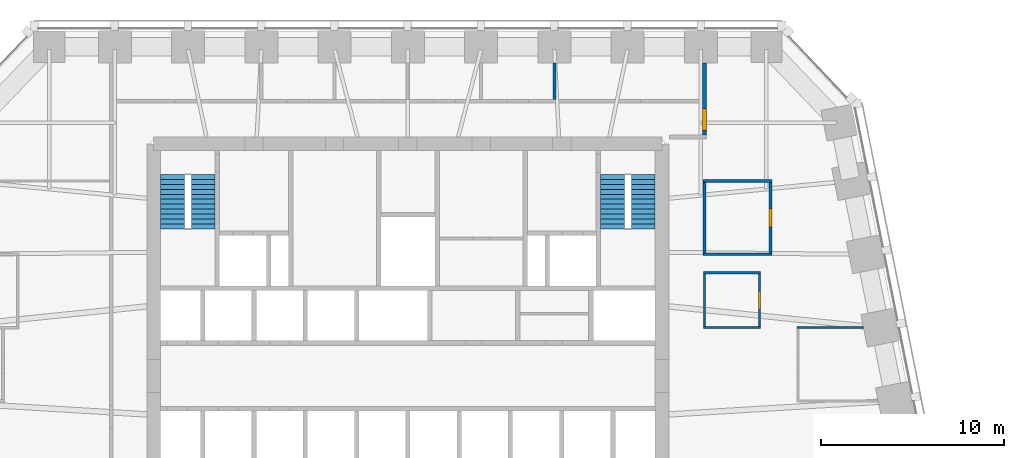
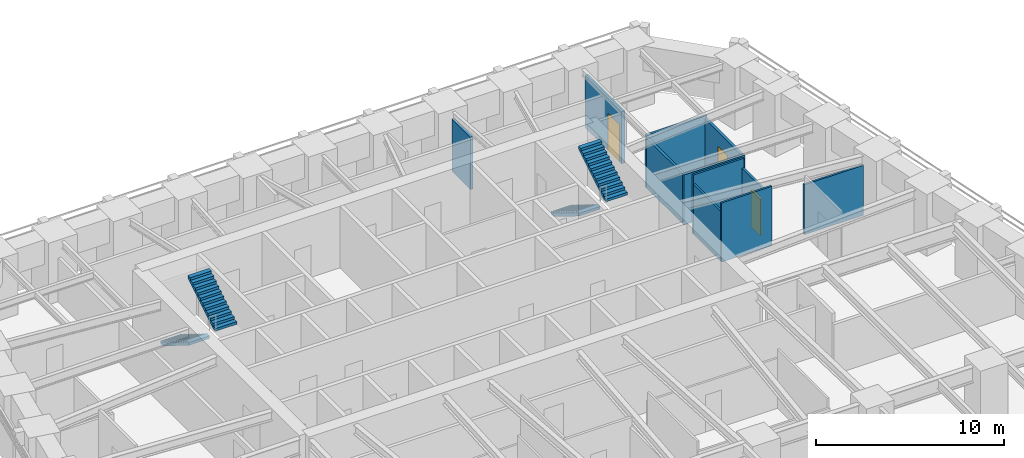
# One storey, part 8 of 10: 11 walls, 4 stair flights, 3 doors, 3 openings, 2 elements without a shape of their own.
"""IFC4 building model written with IfcOpenShell, lengths in metres."""

import ifcopenshell
import ifcopenshell.guid

model = None  # the IFC model being written
_history = None  # IfcOwnerHistory: only IFC2X3 demands one
_inside = {}  # id of a spatial element -> (the spatial element, [elements in it])
_under = {}  # id of a project, library or spatial element -> (it, [spatial elements below it])
_declared = {}  # id of a project -> (the project, [libraries it declares])
_typed = {}  # id of a type object -> (the type object, [elements of that type])
_made_of = {}  # id of a material, layer set ... -> (it, [elements and type objects made of it])


def new_model(schema):
    """Start an empty IFC model of exactly this schema.

    Asked for "IFC4X3", IfcOpenShell would pick the latest addendum, in which some entities
    have other attributes; the version numbers below select the first issue.
    IFC2X3 requires an IfcOwnerHistory on every rooted entity: one is made here for all.
    """
    global model, _history
    if schema == "IFC4X3":
        model = ifcopenshell.file(schema_version=(4, 3, 0, 0))
    else:
        model = ifcopenshell.file(schema=schema)
    _inside.clear()
    _under.clear()
    _declared.clear()
    _typed.clear()
    _made_of.clear()
    _history = None
    if model.schema == "IFC2X3":
        org = make("IfcOrganization", Name="unknown")
        user = make(
            "IfcPersonAndOrganization",
            ThePerson=make("IfcPerson", FamilyName="unknown"),
            TheOrganization=org,
        )
        app = make(
            "IfcApplication",
            ApplicationDeveloper=org,
            Version="unknown",
            ApplicationFullName="unknown",
            ApplicationIdentifier="unknown",
        )
        _history = make(
            "IfcOwnerHistory",
            OwningUser=user,
            OwningApplication=app,
            ChangeAction="ADDED",
            CreationDate=0,
        )
    return model


def make(cls, **values):
    """One entity of the class cls with the attributes given. An attribute that is None is left unset."""
    return model.create_entity(
        cls, **{name: value for name, value in values.items() if value is not None}
    )


def rooted(cls, **values):
    """An entity with a GlobalId (a new one), such as an element, a storey or a relation."""
    return make(cls, GlobalId=ifcopenshell.guid.new(), OwnerHistory=_history, **values)


def si_unit(unit_type, name, prefix=None):
    """IfcSIUnit, for example si_unit("LENGTHUNIT", "METRE", prefix="MILLI")."""
    return make("IfcSIUnit", UnitType=unit_type, Prefix=prefix, Name=name)


def assignment(units):
    """IfcUnitAssignment: the units of a project."""
    return None if units is None else make("IfcUnitAssignment", Units=units)


def point(xyz):
    """IfcCartesianPoint."""
    return None if xyz is None else make("IfcCartesianPoint", Coordinates=xyz)


def direction(xyz):
    """IfcDirection."""
    return None if xyz is None else make("IfcDirection", DirectionRatios=xyz)


def frame(location, z_axis=None, x_axis=None):
    """IfcAxis2Placement3D, a coordinate frame: its origin and axes. An axis left out is left unset."""
    return make(
        "IfcAxis2Placement3D",
        Location=point(location),
        Axis=direction(z_axis),
        RefDirection=direction(x_axis),
    )


def frame_2d(location, x_axis=None):
    """IfcAxis2Placement2D, a coordinate frame in the plane: its origin and x axis."""
    return make(
        "IfcAxis2Placement2D", Location=point(location), RefDirection=direction(x_axis)
    )


def origin():
    """The frame at (0, 0, 0) with its axes left unset."""
    return frame((0.0, 0.0, 0.0))


def place(relative_to, where):
    """IfcLocalPlacement: puts the frame where relative to a parent placement (None: the world)."""
    return make(
        "IfcLocalPlacement", PlacementRelTo=relative_to, RelativePlacement=where
    )


def context(
    kind, dimensions, precision=None, world=None, true_north=None, identifier=None
):
    """IfcGeometricRepresentationContext, for example the 3D "Model" context."""
    return make(
        "IfcGeometricRepresentationContext",
        ContextIdentifier=identifier,
        ContextType=kind,
        CoordinateSpaceDimension=dimensions,
        Precision=precision,
        WorldCoordinateSystem=world,
        TrueNorth=true_north,
    )


def subcontext(parent, identifier, kind, view, scale=None):
    """IfcGeometricRepresentationSubContext, for example "Body" below "Model"."""
    return make(
        "IfcGeometricRepresentationSubContext",
        ContextIdentifier=identifier,
        ContextType=kind,
        ParentContext=parent,
        TargetScale=scale,
        TargetView=view,
    )


def project(units=None, contexts=None):
    """IfcProject with its units and contexts."""
    return rooted(
        "IfcProject",
        Name="project",
        RepresentationContexts=contexts,
        UnitsInContext=assignment(units),
    )


def spatial(cls, under=None, at=None, **own):
    """A site, building, storey or space (cls), placed at a placement, below another one or the project."""
    s = rooted(cls, ObjectPlacement=at, **own)
    if under is not None:
        _under.setdefault(under.id(), (under, []))[1].append(s)
    return s


def polyline(points):
    """IfcPolyline through the points."""
    return make("IfcPolyline", Points=[point(p) for p in points])


def profile(cls, at=None, kind="AREA", **sizes):
    """A parametric profile (cls). Its sizes go by their IFC names, for example OverallWidth=200.0."""
    return make(cls, ProfileType=kind, Position=at, **sizes)


def rectangle(**sizes):
    """IfcRectangleProfileDef."""
    return profile("IfcRectangleProfileDef", **sizes)


def outline(outer, holes=None, kind="AREA"):
    """IfcArbitraryClosedProfileDef: a profile drawn as a closed curve; with holes, ...WithVoids."""
    if holes is None:
        return make("IfcArbitraryClosedProfileDef", ProfileType=kind, OuterCurve=outer)
    return make(
        "IfcArbitraryProfileDefWithVoids",
        ProfileType=kind,
        OuterCurve=outer,
        InnerCurves=holes,
    )


def extrude(swept, where, along, depth):
    """IfcExtrudedAreaSolid: the profile swept, set in the frame where, extruded along a direction by depth."""
    return make(
        "IfcExtrudedAreaSolid",
        SweptArea=swept,
        Position=where,
        ExtrudedDirection=direction(along),
        Depth=depth,
    )


def shape(context_of_items, identifier, shape_type, items):
    """IfcShapeRepresentation: the items that make up one representation, for example the "Body"."""
    return make(
        "IfcShapeRepresentation",
        ContextOfItems=context_of_items,
        RepresentationIdentifier=identifier,
        RepresentationType=shape_type,
        Items=items,
    )


def material(Name=None, Category=None):
    """IfcMaterial."""
    return make("IfcMaterial", Name=Name, Category=Category)


def layer(
    of_material, thickness, ventilated=None, Name=None, Category=None, Priority=None
):
    """IfcMaterialLayer: one layer of a wall or slab, of a material (None: an air gap)."""
    return make(
        "IfcMaterialLayer",
        Material=of_material,
        LayerThickness=thickness,
        IsVentilated=ventilated,
        Name=Name,
        Category=Category,
        Priority=Priority,
    )


def layer_set(layers, Name=None):
    """IfcMaterialLayerSet."""
    return make("IfcMaterialLayerSet", MaterialLayers=layers, LayerSetName=Name)


def made_of(thing, what):
    """Note that an element or type object is made of a material, layer set ...; save() writes the relation."""
    if what is not None:
        _made_of.setdefault(what.id(), (what, []))[1].append(thing)
    return thing


def type_object(cls, material=None, **own):
    """A type object (cls), such as IfcWallType, which elements share."""
    return made_of(rooted(cls, **own), material)


def element(
    cls,
    number,
    at=None,
    inside=None,
    cuts=None,
    type_object=None,
    material=None,
    context=None,
    identifier="Body",
    shape_type=None,
    held_by="IfcProductDefinitionShape",
    body=None,
    shapes=None,
    **own,
):
    """One element of the class cls, such as IfcWall. Its Tag is "e" and its number.

    at: its placement. inside: the storey or other place that contains it. cuts: it is an
    opening in that element (IfcRelVoidsElement). A single representation is given by context,
    identifier, shape_type and body (its items); several are given by shapes. held_by: the class
    of the entity that holds the representations. save() writes the other relations.
    """
    e = rooted(cls, Tag="e%d" % number, ObjectPlacement=at, **own)
    if body is not None:
        shapes = [shape(context, identifier, shape_type, body)]
    if shapes is not None:
        e.Representation = make(held_by, Representations=shapes)
    if inside is not None:
        _inside.setdefault(inside.id(), (inside, []))[1].append(e)
    if cuts is not None:
        rooted(
            "IfcRelVoidsElement", RelatingBuildingElement=cuts, RelatedOpeningElement=e
        )
    if type_object is not None:
        _typed.setdefault(type_object.id(), (type_object, []))[1].append(e)
    return made_of(e, material)


def fill(opening, filler):
    """IfcRelFillsElement: the door or window that sits in an opening."""
    return rooted(
        "IfcRelFillsElement",
        RelatingOpeningElement=opening,
        RelatedBuildingElement=filler,
    )


def aggregate(whole, parts):
    """IfcRelAggregates: a whole, such as a stair, and the parts it consists of."""
    return rooted("IfcRelAggregates", RelatingObject=whole, RelatedObjects=parts)


def save(model, path):
    """Write the relations noted so far, then the file.

    IfcRelAggregates (storeys below a building ...), IfcRelContainedInSpatialStructure (elements
    in a storey), IfcRelDefinesByType, IfcRelAssociatesMaterial and IfcRelDeclares: one each for
    every whole, place, type object, material and project.
    """
    for whole, parts in _under.values():
        aggregate(whole, parts)
    for where, things in _inside.values():
        rooted(
            "IfcRelContainedInSpatialStructure",
            RelatedElements=things,
            RelatingStructure=where,
        )
    for kind, things in _typed.values():
        rooted("IfcRelDefinesByType", RelatedObjects=things, RelatingType=kind)
    for what, things in _made_of.values():
        rooted("IfcRelAssociatesMaterial", RelatedObjects=things, RelatingMaterial=what)
    for by, libraries in _declared.values():
        rooted("IfcRelDeclares", RelatingContext=by, RelatedDefinitions=libraries)
    model.write(path)


model = new_model("IFC4")

# Units and contexts
model_context = context("Model", 3, precision=1e-05, world=origin(), true_north=direction((0.0, 1.0)))
body_context = subcontext(model_context, "Body", "Model", "MODEL_VIEW")
ifc_project = project(units=[si_unit("LENGTHUNIT", "METRE"), si_unit("AREAUNIT", "SQUARE_METRE"), si_unit("VOLUMEUNIT", "CUBIC_METRE"), si_unit("PLANEANGLEUNIT", "RADIAN"), si_unit("MASSUNIT", "GRAM", prefix="KILO")], contexts=[model_context])

# Site, building, storey
site_placement = place(None, origin())
site = spatial("IfcSite", under=ifc_project, at=site_placement, CompositionType="ELEMENT")
building_placement = place(site_placement, origin())
building = spatial("IfcBuilding", under=site, at=building_placement, Name="Isbrekke Arena Tower", CompositionType="ELEMENT")
storey_placement = place(building_placement, frame((0.0, 0.0, 123.0)))
storey = spatial("IfcBuildingStorey", under=building, at=storey_placement, Name="L27", CompositionType="ELEMENT", Elevation=123.0)

# Walls
ifc_material_1 = material(Name="Gypsum board partition on steel studs", Category="steel")
ifc_layer_1 = layer(ifc_material_1, 0.14990234375)
ifc_layer_set_1 = layer_set([ifc_layer_1], Name="IW1 PARTITION 150")
wall_type_1 = type_object("IfcWallType", Name="IW1 PARTITION 150", PredefinedType="PARTITIONING", material=ifc_layer_set_1)
wall_1_placement = place(storey_placement, frame((16.125, 17.840087890625, 0.0), z_axis=(0.0, 0.0, 1.0), x_axis=(1.0, 0.0, 0.0)))
element("IfcWall", 1, at=wall_1_placement, inside=storey, type_object=wall_type_1, Name="IW1 partition 150 L27", PredefinedType="PARTITIONING", context=body_context, shape_type="SweptSolid", body=[
    extrude(rectangle(XDim=3.75, YDim=0.14990234375, at=frame_2d((1.875, 0.0))), origin(), (0.0, 0.0, 1.0), 3.25),
])
wall_2_placement = place(storey_placement, frame((16.125, 21.840087890625, 0.0), z_axis=(0.0, 0.0, 1.0), x_axis=(1.0, 0.0, 0.0)))
element("IfcWall", 2, at=wall_2_placement, inside=storey, type_object=wall_type_1, Name="IW1 partition 150 L27", PredefinedType="PARTITIONING", context=body_context, shape_type="SweptSolid", body=[
    extrude(rectangle(XDim=3.75, YDim=0.14990234375, at=frame_2d((1.875, 0.0))), origin(), (0.0, 0.0, 1.0), 3.39990234375),
])
wall_3_placement = place(storey_placement, frame((8.0, 26.300048828125, 0.0), z_axis=(0.0, 0.0, 1.0), x_axis=(0.0, 1.0, 0.0)))
element("IfcWall", 3, at=wall_3_placement, inside=storey, type_object=wall_type_1, Name="IW1 partition 150 L27", PredefinedType="PARTITIONING", context=body_context, shape_type="SweptSolid", body=[
    extrude(rectangle(XDim=1.974853515625, YDim=0.14990234375, at=frame_2d((0.9873046875, 0.0))), origin(), (0.0, 0.0, 1.0), 3.39990234375),
])
wall_4_placement = place(storey_placement, frame((16.199951171875, 17.9150390625, 0.0), z_axis=(0.0, 0.0, 1.0), x_axis=(0.0, 1.0, 0.0)))
element("IfcWall", 4, at=wall_4_placement, inside=storey, type_object=wall_type_1, Name="IW1 partition 150 L27", PredefinedType="PARTITIONING", context=body_context, shape_type="SweptSolid", body=[
    extrude(rectangle(XDim=3.849853515625, YDim=0.14990234375, at=frame_2d((1.9248046875, 0.0))), origin(), (0.0, 0.0, 1.0), 3.25),
])

# Wall, opening, door
wall_5_placement = place(storey_placement, frame((19.800048828125, 17.9150390625, 0.0), z_axis=(0.0, 0.0, 1.0), x_axis=(0.0, 1.0, 0.0)))
wall_5 = element("IfcWall", 5, at=wall_5_placement, inside=storey, type_object=wall_type_1, Name="IW1 partition 150 L27", PredefinedType="PARTITIONING", context=body_context, shape_type="SweptSolid", body=[
    extrude(rectangle(XDim=3.849853515625, YDim=0.14990234375, at=frame_2d((1.9248046875, 0.0))), origin(), (0.0, 0.0, 1.0), 3.25),
])
opening_1_placement = place(wall_5_placement, frame((1.425048828125, 0.0, 0.0)))
opening_1 = element("IfcOpeningElement", 6, at=opening_1_placement, cuts=wall_5, Name="Opening D10", PredefinedType="OPENING", context=body_context, shape_type="SweptSolid", body=[
    extrude(rectangle(XDim=1.0, YDim=2.300048828125, at=frame_2d((0.5, 1.14990234375))), frame((0.0, 0.08984375, 0.0), z_axis=(0.0, -1.0, 0.0), x_axis=(1.0, 0.0, 0.0)), (0.0, 0.0, 1.0), 0.1796875),
])
ifc_material_2 = material(Name="Timber door", Category="wood")
door_type_1 = type_object("IfcDoorType", Name="D10 OFFICE DOOR 1000 x 2300", OperationType="SINGLE_SWING_LEFT", PredefinedType="DOOR", material=ifc_material_2)
door_1_placement = place(opening_1_placement, origin())
door_1 = element("IfcDoor", 7, at=door_1_placement, inside=storey, type_object=door_type_1, Name="D10 pantry door L27", OperationType="SINGLE_SWING_LEFT", OverallHeight=2.300048828125, OverallWidth=1.0, PredefinedType="DOOR", context=body_context, shape_type="SweptSolid", body=[
    extrude(rectangle(XDim=1.0, YDim=2.300048828125, at=frame_2d((0.5, 1.14990234375))), frame((0.0, 0.07470703125, 0.0), z_axis=(0.0, -1.0, 0.0), x_axis=(1.0, 0.0, 0.0)), (0.0, 0.0, 1.0), 0.1494140625),
])
fill(opening_1, door_1)

# Walls
ifc_material_3 = material(Name="Frameless glazed partition, laminated acoustic glass", Category="glass")
ifc_layer_2 = layer(ifc_material_3, 0.1201171875)
ifc_layer_set_2 = layer_set([ifc_layer_2], Name="IW2 GLAZED PARTITION 120")
wall_type_2 = type_object("IfcWallType", Name="IW2 GLAZED PARTITION 120", PredefinedType="PARTITIONING", material=ifc_layer_set_2)
wall_6_placement = place(storey_placement, frame((16.139892578125, 13.840087890625, 0.0), z_axis=(0.0, 0.0, 1.0), x_axis=(1.0, 0.0, 0.0)))
element("IfcWall", 8, at=wall_6_placement, inside=storey, type_object=wall_type_2, Name="IW2 glazed partition 120 L27", PredefinedType="PARTITIONING", context=body_context, shape_type="SweptSolid", body=[
    extrude(rectangle(XDim=3.1201171875, YDim=0.1201171875, at=frame_2d((1.56005859375, 0.0))), origin(), (0.0, 0.0, 1.0), 3.85009765625),
])
wall_7_placement = place(storey_placement, frame((21.239990234375, 13.840087890625, 0.0), z_axis=(0.0, 0.0, 1.0), x_axis=(1.0, 0.0, 0.0)))
element("IfcWall", 9, at=wall_7_placement, inside=storey, type_object=wall_type_2, Name="IW2 glazed partition 120 L27", PredefinedType="PARTITIONING", context=body_context, shape_type="SweptSolid", body=[
    extrude(rectangle(XDim=3.6328125, YDim=0.1201171875, at=frame_2d((1.81640625, 0.0))), origin(), (0.0, 0.0, 1.0), 3.25),
])
wall_8_placement = place(storey_placement, frame((16.139892578125, 16.840087890625, 0.0), z_axis=(0.0, 0.0, 1.0), x_axis=(1.0, 0.0, 0.0)))
element("IfcWall", 10, at=wall_8_placement, inside=storey, type_object=wall_type_2, Name="IW2 glazed partition 120 L27", PredefinedType="PARTITIONING", context=body_context, shape_type="SweptSolid", body=[
    extrude(rectangle(XDim=3.1201171875, YDim=0.1201171875, at=frame_2d((1.56005859375, 0.0))), origin(), (0.0, 0.0, 1.0), 3.85009765625),
])
wall_9_placement = place(storey_placement, frame((16.199951171875, 13.89990234375, 0.0), z_axis=(0.0, 0.0, 1.0), x_axis=(0.0, 1.0, 0.0)))
element("IfcWall", 11, at=wall_9_placement, inside=storey, type_object=wall_type_2, Name="IW2 glazed partition 120 L27", PredefinedType="PARTITIONING", context=body_context, shape_type="SweptSolid", body=[
    extrude(rectangle(XDim=2.880126953125, YDim=0.1201171875, at=frame_2d((1.43994140625, 0.0))), origin(), (0.0, 0.0, 1.0), 3.25),
])

# Wall, opening, door
wall_10_placement = place(storey_placement, frame((19.199951171875, 13.89990234375, 0.0), z_axis=(0.0, 0.0, 1.0), x_axis=(0.0, 1.0, 0.0)))
wall_10 = element("IfcWall", 12, at=wall_10_placement, inside=storey, type_object=wall_type_2, Name="IW2 glazed partition 120 L27", PredefinedType="PARTITIONING", context=body_context, shape_type="SweptSolid", body=[
    extrude(rectangle(XDim=2.880126953125, YDim=0.1201171875, at=frame_2d((1.43994140625, 0.0))), origin(), (0.0, 0.0, 1.0), 3.25),
])
opening_2_placement = place(wall_10_placement, frame((0.93994140625, 0.0, 0.0)))
opening_2 = element("IfcOpeningElement", 13, at=opening_2_placement, cuts=wall_10, Name="Opening D11", PredefinedType="OPENING", context=body_context, shape_type="SweptSolid", body=[
    extrude(rectangle(XDim=1.0, YDim=2.39990234375, at=frame_2d((0.5, 1.199951171875))), frame((0.0, 0.074951171875, 0.0), z_axis=(0.0, -1.0, 0.0), x_axis=(1.0, 0.0, 0.0)), (0.0, 0.0, 1.0), 0.14990234375),
])
ifc_material_4 = material(Name="Frameless glazed door", Category="glass")
door_type_2 = type_object("IfcDoorType", Name="D11 GLAZED MEETING ROOM DOOR 1000 x 2400", OperationType="SINGLE_SWING_RIGHT", PredefinedType="DOOR", material=ifc_material_4)
door_2_placement = place(opening_2_placement, origin())
door_2 = element("IfcDoor", 14, at=door_2_placement, inside=storey, type_object=door_type_2, Name="D11 quiet room door L27", OperationType="SINGLE_SWING_RIGHT", OverallHeight=2.39990234375, OverallWidth=1.0, PredefinedType="DOOR", context=body_context, shape_type="SweptSolid", body=[
    extrude(rectangle(XDim=1.0, YDim=2.39990234375, at=frame_2d((0.5, 1.199951171875))), frame((0.0, 0.059814453125, 0.0), z_axis=(0.0, -1.0, 0.0), x_axis=(1.0, 0.0, 0.0)), (0.0, 0.0, 1.0), 0.11962890625),
])
fill(opening_2, door_2)

ifc_material_5 = material(Name="Gypsum board fire-cell wall on steel studs, two layers each side", Category="steel")
ifc_layer_3 = layer(ifc_material_5, 0.199951171875)
ifc_layer_set_3 = layer_set([ifc_layer_3], Name="IW3 FIRE-CELL WALL 200")
wall_type_3 = type_object("IfcWallType", Name="IW3 FIRE-CELL WALL 200", PredefinedType="PARTITIONING", material=ifc_layer_set_3)
wall_11_placement = place(storey_placement, frame((16.199951171875, 24.35009765625, 0.0), z_axis=(0.0, 0.0, 1.0), x_axis=(0.0, 1.0, 0.0)))
wall_11 = element("IfcWall", 15, at=wall_11_placement, inside=storey, type_object=wall_type_3, Name="IW3 fire-cell wall 200 L27", PredefinedType="PARTITIONING", context=body_context, shape_type="SweptSolid", body=[
    extrude(rectangle(XDim=3.9248046875, YDim=0.199951171875, at=frame_2d((1.96240234375, 0.0))), origin(), (0.0, 0.0, 1.0), 3.39990234375),
])
opening_3_placement = place(wall_11_placement, frame((0.25, 0.0, 0.0)))
opening_3 = element("IfcOpeningElement", 16, at=opening_3_placement, cuts=wall_11, Name="Opening D12", PredefinedType="OPENING", context=body_context, shape_type="SweptSolid", body=[
    extrude(rectangle(XDim=1.199951171875, YDim=2.39990234375, at=frame_2d((0.60009765625, 1.199951171875))), frame((0.0, 0.11474609375, 0.0), z_axis=(0.0, -1.0, 0.0), x_axis=(1.0, 0.0, 0.0)), (0.0, 0.0, 1.0), 0.229736328125),
])
ifc_material_6 = material(Name="Timber fire door with vision panel", Category="wood")
door_type_3 = type_object("IfcDoorType", Name="D12 SUITE ENTRANCE DOOR 1200 x 2400", OperationType="SINGLE_SWING_LEFT", PredefinedType="DOOR", material=ifc_material_6)
door_3_placement = place(opening_3_placement, origin())
door_3 = element("IfcDoor", 17, at=door_3_placement, inside=storey, type_object=door_type_3, Name="D12 suite entrance E door L27", OperationType="SINGLE_SWING_LEFT", OverallHeight=2.39990234375, OverallWidth=1.199951171875, PredefinedType="DOOR", context=body_context, shape_type="SweptSolid", body=[
    extrude(rectangle(XDim=1.199951171875, YDim=2.39990234375, at=frame_2d((0.60009765625, 1.199951171875))), frame((0.0, 0.099609375, 0.0), z_axis=(0.0, -1.0, 0.0), x_axis=(1.0, 0.0, 0.0)), (0.0, 0.0, 1.0), 0.199462890625),
])
fill(opening_3, door_3)

# Stair, stair flights
ifc_material_7 = material(Name="Concrete B45 (C45/55) precast", Category="concrete")
stair_type = type_object("IfcStairType", Name="ST40 STAIR 1300 WIDE, 24 RISERS 167", PredefinedType="HALF_TURN_STAIR", material=ifc_material_7)
stair_1_placement = place(storey_placement, origin())
stair_1 = element("IfcStair", 18, at=stair_1_placement, inside=storey, type_object=stair_type, Name="ST1 stair L27", PredefinedType="HALF_TURN_STAIR")
ifc_material_8 = material(Name="Concrete B45 (C45/55) precast", Category="concrete")
stair_flight_type = type_object("IfcStairFlightType", Name="SF 1300 FLIGHT", PredefinedType="STRAIGHT", material=ifc_material_8)
stair_flight_1_placement = place(storey_placement, frame((-12.85009765625, 22.199951171875, 0.0), z_axis=(0.0, 0.0, 1.0), x_axis=(0.0, -1.0, 0.0)))
stair_flight_1 = element("IfcStairFlight", 19, at=stair_flight_1_placement, type_object=stair_flight_type, Name="ST1 flight 1", NumberOfRisers=12, NumberOfTreads=11, PredefinedType="STRAIGHT", RiserHeight=0.166666667, TreadLength=0.27, context=body_context, shape_type="SweptSolid", body=[
    extrude(outline(polyline([(0.0, 0.0), (0.0, 0.166748046875), (0.27001953125, 0.166748046875), (0.27001953125, 0.333251953125), (0.5400390625, 0.333251953125), (0.5400390625, 0.5), (0.81005859375, 0.5), (0.81005859375, 0.666748046875), (1.080078125, 0.666748046875), (1.080078125, 0.833251953125), (1.35009765625, 0.833251953125), (1.35009765625, 1.0), (1.6201171875, 1.0), (1.6201171875, 1.166748046875), (1.889892578125, 1.166748046875), (1.889892578125, 1.333251953125), (2.159912109375, 1.333251953125), (2.159912109375, 1.5), (2.429931640625, 1.5), (2.429931640625, 1.666748046875), (2.699951171875, 1.666748046875), (2.699951171875, 1.833251953125), (2.969970703125, 1.833251953125), (2.969970703125, 2.0), (2.969970703125, 1.6572265625), (0.285400390625, 0.0), (0.0, 0.0)])), frame((0.0, 0.64990234375, 0.0), z_axis=(0.0, -1.0, 0.0), x_axis=(1.0, 0.0, 0.0)), (0.0, 0.0, 1.0), 1.300048828125),
])
stair_flight_2_placement = place(storey_placement, frame((-11.175048828125, 19.22998046875, 2.0), z_axis=(0.0, 0.0, 1.0), x_axis=(0.0, 1.0, 0.0)))
stair_flight_2 = element("IfcStairFlight", 20, at=stair_flight_2_placement, type_object=stair_flight_type, Name="ST1 flight 2", NumberOfRisers=12, NumberOfTreads=11, PredefinedType="STRAIGHT", RiserHeight=0.166666667, TreadLength=0.27, context=body_context, shape_type="SweptSolid", body=[
    extrude(outline(polyline([(0.0, 0.0), (0.0, 0.166748046875), (0.27001953125, 0.166748046875), (0.27001953125, 0.333251953125), (0.5400390625, 0.333251953125), (0.5400390625, 0.5), (0.81005859375, 0.5), (0.81005859375, 0.666748046875), (1.080078125, 0.666748046875), (1.080078125, 0.833251953125), (1.35009765625, 0.833251953125), (1.35009765625, 1.0), (1.6201171875, 1.0), (1.6201171875, 1.166748046875), (1.889892578125, 1.166748046875), (1.889892578125, 1.333251953125), (2.159912109375, 1.333251953125), (2.159912109375, 1.5), (2.429931640625, 1.5), (2.429931640625, 1.666748046875), (2.699951171875, 1.666748046875), (2.699951171875, 1.833251953125), (2.969970703125, 1.833251953125), (2.969970703125, 2.0), (2.969970703125, 1.6572265625), (0.285400390625, 0.0), (0.0, 0.0)])), frame((0.0, 0.64990234375, 0.0), z_axis=(0.0, -1.0, 0.0), x_axis=(1.0, 0.0, 0.0)), (0.0, 0.0, 1.0), 1.300048828125),
])
aggregate(stair_1, [stair_flight_1, stair_flight_2])

stair_2_placement = place(storey_placement, origin())
stair_2 = element("IfcStair", 21, at=stair_2_placement, inside=storey, type_object=stair_type, Name="ST2 stair L27", PredefinedType="HALF_TURN_STAIR")
stair_flight_3_placement = place(storey_placement, frame((11.175048828125, 22.199951171875, 0.0), z_axis=(0.0, 0.0, 1.0), x_axis=(0.0, -1.0, 0.0)))
stair_flight_3 = element("IfcStairFlight", 22, at=stair_flight_3_placement, type_object=stair_flight_type, Name="ST2 flight 1", NumberOfRisers=12, NumberOfTreads=11, PredefinedType="STRAIGHT", RiserHeight=0.166666667, TreadLength=0.27, context=body_context, shape_type="SweptSolid", body=[
    extrude(outline(polyline([(0.0, 0.0), (0.0, 0.166748046875), (0.27001953125, 0.166748046875), (0.27001953125, 0.333251953125), (0.5400390625, 0.333251953125), (0.5400390625, 0.5), (0.81005859375, 0.5), (0.81005859375, 0.666748046875), (1.080078125, 0.666748046875), (1.080078125, 0.833251953125), (1.35009765625, 0.833251953125), (1.35009765625, 1.0), (1.6201171875, 1.0), (1.6201171875, 1.166748046875), (1.889892578125, 1.166748046875), (1.889892578125, 1.333251953125), (2.159912109375, 1.333251953125), (2.159912109375, 1.5), (2.429931640625, 1.5), (2.429931640625, 1.666748046875), (2.699951171875, 1.666748046875), (2.699951171875, 1.833251953125), (2.969970703125, 1.833251953125), (2.969970703125, 2.0), (2.969970703125, 1.6572265625), (0.285400390625, 0.0), (0.0, 0.0)])), frame((0.0, 0.64990234375, 0.0), z_axis=(0.0, -1.0, 0.0), x_axis=(1.0, 0.0, 0.0)), (0.0, 0.0, 1.0), 1.300048828125),
])
stair_flight_4_placement = place(storey_placement, frame((12.85009765625, 19.22998046875, 2.0), z_axis=(0.0, 0.0, 1.0), x_axis=(0.0, 1.0, 0.0)))
stair_flight_4 = element("IfcStairFlight", 23, at=stair_flight_4_placement, type_object=stair_flight_type, Name="ST2 flight 2", NumberOfRisers=12, NumberOfTreads=11, PredefinedType="STRAIGHT", RiserHeight=0.166666667, TreadLength=0.27, context=body_context, shape_type="SweptSolid", body=[
    extrude(outline(polyline([(0.0, 0.0), (0.0, 0.166748046875), (0.27001953125, 0.166748046875), (0.27001953125, 0.333251953125), (0.5400390625, 0.333251953125), (0.5400390625, 0.5), (0.81005859375, 0.5), (0.81005859375, 0.666748046875), (1.080078125, 0.666748046875), (1.080078125, 0.833251953125), (1.35009765625, 0.833251953125), (1.35009765625, 1.0), (1.6201171875, 1.0), (1.6201171875, 1.166748046875), (1.889892578125, 1.166748046875), (1.889892578125, 1.333251953125), (2.159912109375, 1.333251953125), (2.159912109375, 1.5), (2.429931640625, 1.5), (2.429931640625, 1.666748046875), (2.699951171875, 1.666748046875), (2.699951171875, 1.833251953125), (2.969970703125, 1.833251953125), (2.969970703125, 2.0), (2.969970703125, 1.6572265625), (0.285400390625, 0.0), (0.0, 0.0)])), frame((0.0, 0.64990234375, 0.0), z_axis=(0.0, -1.0, 0.0), x_axis=(1.0, 0.0, 0.0)), (0.0, 0.0, 1.0), 1.300048828125),
])
aggregate(stair_2, [stair_flight_3, stair_flight_4])

save(model, "model.ifc")
